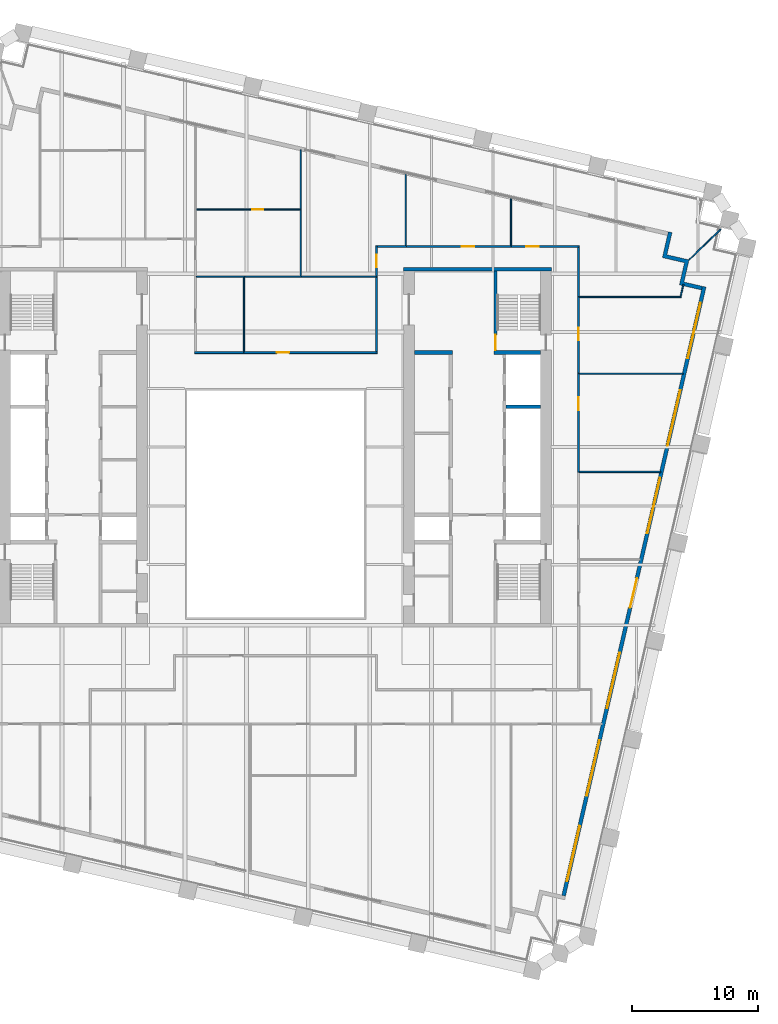
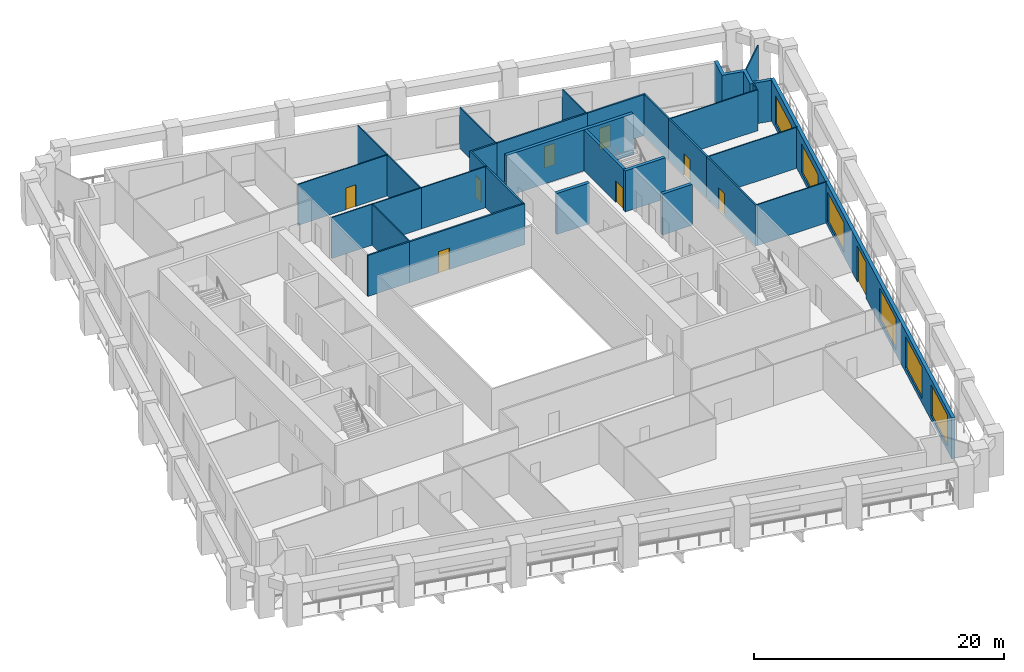
# One storey, part 7 of 10: 31 walls, 9 doors, 6 windows, 15 openings.
"""IFC4 building model written with IfcOpenShell, lengths in metres."""

from ifc_helpers import new_model, si_unit, direction, frame, frame_2d, origin, place, context, subcontext, project, spatial, polyline, rectangle, outline, extrude, material, layer, layer_set, type_object, element, fill, save


model = new_model("IFC4")

# Units and contexts
model_context = context("Model", 3, precision=1e-05, world=origin(), true_north=direction((0.0, 1.0)))
body_context = subcontext(model_context, "Body", "Model", "MODEL_VIEW")
ifc_project = project(units=[si_unit("LENGTHUNIT", "METRE"), si_unit("AREAUNIT", "SQUARE_METRE"), si_unit("VOLUMEUNIT", "CUBIC_METRE"), si_unit("PLANEANGLEUNIT", "RADIAN"), si_unit("MASSUNIT", "GRAM", prefix="KILO")], contexts=[model_context])

# Site, building, storey
site_placement = place(None, origin())
site = spatial("IfcSite", under=ifc_project, at=site_placement, CompositionType="ELEMENT")
building_placement = place(site_placement, origin())
building = spatial("IfcBuilding", under=site, at=building_placement, Name="Ogive Exchange Tower", CompositionType="ELEMENT")
storey_placement = place(building_placement, frame((0.0, 0.0, 114.0)))
storey = spatial("IfcBuildingStorey", under=building, at=storey_placement, Name="L24", CompositionType="ELEMENT", Elevation=114.0)

# Walls
ifc_material_1 = material(Name="Gypsum board partition")
ifc_layer_1 = layer(ifc_material_1, 0.300048828125)
ifc_layer_set_1 = layer_set([ifc_layer_1], Name="Core room partition 300 gypsum")
wall_type_1 = type_object("IfcWallType", Name="Core room partition 300 gypsum", PredefinedType="PARTITIONING", material=ifc_layer_set_1)
wall_1_placement = place(storey_placement, frame((11.0, 19.0, 0.0), z_axis=(0.0, 0.0, 1.0), x_axis=(1.0, 0.0, 0.0)))
element("IfcWall", 1, at=wall_1_placement, inside=storey, type_object=wall_type_1, Name="E row B room end wall 7", PredefinedType="PARTITIONING", context=body_context, shape_type="SweptSolid", body=[
    extrude(rectangle(XDim=3.0, YDim=0.300048828125, at=frame_2d((1.5, 0.0))), origin(), (0.0, 0.0, 1.0), 4.0),
])
ifc_material_2 = material(Name="Fire partition EI 60 150")
ifc_layer_2 = layer(ifc_material_2, 0.14990234375)
ifc_layer_set_2 = layer_set([ifc_layer_2], Name="Fire partition EI 60 150")
wall_type_2 = type_object("IfcWallType", Name="Fire partition EI 60 150", PredefinedType="PARTITIONING", material=ifc_layer_set_2)
wall_2_placement = place(storey_placement, frame((-6.4150390625, 19.0, 0.0), z_axis=(0.0, 0.0, 1.0), x_axis=(1.0, 0.0, 0.0)))
element("IfcWall", 2, at=wall_2_placement, inside=storey, type_object=wall_type_2, Name="L24-PWL-032", PredefinedType="PARTITIONING", context=body_context, shape_type="SweptSolid", body=[
    extrude(rectangle(XDim=3.864990234375, YDim=0.14990234375, at=frame_2d((1.9326171875, 0.0))), origin(), (0.0, 0.0, 1.0), 4.0),
])

# Wall, opening, door
wall_3_placement = place(storey_placement, frame((-2.550048828125, 19.0, 0.0), z_axis=(0.0, 0.0, 1.0), x_axis=(1.0, 0.0, 0.0)))
wall_3 = element("IfcWall", 3, at=wall_3_placement, inside=storey, type_object=wall_type_2, Name="L24-PWL-039", PredefinedType="PARTITIONING", context=body_context, shape_type="SweptSolid", body=[
    extrude(rectangle(XDim=10.625, YDim=0.14990234375, at=frame_2d((5.3125, 0.0))), origin(), (0.0, 0.0, 1.0), 4.0),
])
opening_1_placement = place(wall_3_placement, frame((2.64990234375, 0.0, 0.0)))
opening_1 = element("IfcOpeningElement", 4, at=opening_1_placement, cuts=wall_3, Name="Opening L24-I06", PredefinedType="OPENING", context=body_context, shape_type="SweptSolid", body=[
    extrude(rectangle(XDim=1.0, YDim=2.10009765625, at=frame_2d((0.5, 1.050048828125))), frame((0.0, 0.0849609375, 0.0), z_axis=(0.0, -1.0, 0.0), x_axis=(1.0, 0.0, 0.0)), (0.0, 0.0, 1.0), 0.169921875),
])
ifc_material_3 = material(Name="Fire door FD 30S 1000 x 2100")
door_type_1 = type_object("IfcDoorType", Name="Fire door FD 30S 1000 x 2100", OperationType="NOTDEFINED", PredefinedType="DOOR", material=ifc_material_3)
door_1_placement = place(opening_1_placement, origin())
door_1 = element("IfcDoor", 5, at=door_1_placement, inside=storey, type_object=door_type_1, Name="L24-IDR-006", ObjectType="DT3", OperationType="SINGLE_SWING_RIGHT", OverallHeight=2.10009765625, OverallWidth=1.0, PredefinedType="DOOR", context=body_context, shape_type="SweptSolid", body=[
    extrude(rectangle(XDim=1.0, YDim=2.10009765625, at=frame_2d((0.5, 1.050048828125))), frame((0.0, 0.02490234375, 0.0), z_axis=(0.0, -1.0, 0.0), x_axis=(1.0, 0.0, 0.0)), (0.0, 0.0, 1.0), 0.050048828125),
])
fill(opening_1, door_1)

# Wall
wall_4_placement = place(storey_placement, frame((8.0, 19.074951171875, 0.0), z_axis=(0.0, 0.0, 1.0), x_axis=(0.0, 1.0, 0.0)))
element("IfcWall", 6, at=wall_4_placement, inside=storey, type_object=wall_type_2, Name="L24-PWL-053", PredefinedType="PARTITIONING", context=body_context, shape_type="SweptSolid", body=[
    extrude(rectangle(XDim=5.875, YDim=0.14990234375, at=frame_2d((2.9375, 0.0))), origin(), (0.0, 0.0, 1.0), 4.0),
])

# Wall, opening, door
wall_5_placement = place(storey_placement, frame((8.0, 25.050048828125, 0.0), z_axis=(0.0, 0.0, 1.0), x_axis=(0.0, 1.0, 0.0)))
wall_5 = element("IfcWall", 7, at=wall_5_placement, inside=storey, type_object=wall_type_2, Name="L24-PWL-054", PredefinedType="PARTITIONING", context=body_context, shape_type="SweptSolid", body=[
    extrude(rectangle(XDim=2.425048828125, YDim=0.14990234375, at=frame_2d((1.21240234375, 0.0))), origin(), (0.0, 0.0, 1.0), 4.0),
])
opening_2_placement = place(wall_5_placement, frame((0.699951171875, 0.0, 0.0)))
opening_2 = element("IfcOpeningElement", 8, at=opening_2_placement, cuts=wall_5, Name="Opening L24-I07", PredefinedType="OPENING", context=body_context, shape_type="SweptSolid", body=[
    extrude(rectangle(XDim=1.0, YDim=2.10009765625, at=frame_2d((0.5, 1.050048828125))), frame((0.0, 0.0849609375, 0.0), z_axis=(0.0, -1.0, 0.0), x_axis=(1.0, 0.0, 0.0)), (0.0, 0.0, 1.0), 0.169921875),
])
door_2_placement = place(opening_2_placement, origin())
door_2 = element("IfcDoor", 9, at=door_2_placement, inside=storey, type_object=door_type_1, Name="L24-IDR-007", ObjectType="DT3", OperationType="SINGLE_SWING_RIGHT", OverallHeight=2.10009765625, OverallWidth=1.0, PredefinedType="DOOR", context=body_context, shape_type="SweptSolid", body=[
    extrude(rectangle(XDim=1.0, YDim=2.10009765625, at=frame_2d((0.5, 1.050048828125))), frame((0.0, 0.02490234375, 0.0), z_axis=(0.0, -1.0, 0.0), x_axis=(1.0, 0.0, 0.0)), (0.0, 0.0, 1.0), 0.050048828125),
])
fill(opening_2, door_2)

# Wall
wall_6_placement = place(storey_placement, frame((8.074951171875, 27.39990234375, 0.0), z_axis=(0.0, 0.0, 1.0), x_axis=(1.0, 0.0, 0.0)))
element("IfcWall", 10, at=wall_6_placement, inside=storey, type_object=wall_type_2, Name="L24-PWL-055", PredefinedType="PARTITIONING", context=body_context, shape_type="SweptSolid", body=[
    extrude(rectangle(XDim=2.295166015625, YDim=0.14990234375, at=frame_2d((1.1474609375, 0.0))), origin(), (0.0, 0.0, 1.0), 4.0),
])

# Wall, opening, door
wall_7_placement = place(storey_placement, frame((10.320068359375, 27.39990234375, 0.0), z_axis=(0.0, 0.0, 1.0), x_axis=(1.0, 0.0, 0.0)))
wall_7 = element("IfcWall", 11, at=wall_7_placement, inside=storey, type_object=wall_type_2, Name="L24-PWL-057", PredefinedType="PARTITIONING", context=body_context, shape_type="SweptSolid", body=[
    extrude(rectangle(XDim=8.3798828125, YDim=0.14990234375, at=frame_2d((4.18994140625, 0.0))), origin(), (0.0, 0.0, 1.0), 4.0),
])
opening_3_placement = place(wall_7_placement, frame((4.429931640625, 0.0, 0.0)))
opening_3 = element("IfcOpeningElement", 12, at=opening_3_placement, cuts=wall_7, Name="Opening L24-I04", PredefinedType="OPENING", context=body_context, shape_type="SweptSolid", body=[
    extrude(rectangle(XDim=1.0, YDim=2.10009765625, at=frame_2d((0.5, 1.050048828125))), frame((0.0, 0.0849609375, 0.0), z_axis=(0.0, -1.0, 0.0), x_axis=(1.0, 0.0, 0.0)), (0.0, 0.0, 1.0), 0.169921875),
])
door_3_placement = place(opening_3_placement, origin())
door_3 = element("IfcDoor", 13, at=door_3_placement, inside=storey, type_object=door_type_1, Name="L24-IDR-004", ObjectType="DT3", OperationType="SINGLE_SWING_LEFT", OverallHeight=2.10009765625, OverallWidth=1.0, PredefinedType="DOOR", context=body_context, shape_type="SweptSolid", body=[
    extrude(rectangle(XDim=1.0, YDim=2.10009765625, at=frame_2d((0.5, 1.050048828125))), frame((0.0, 0.02490234375, 0.0), z_axis=(0.0, -1.0, 0.0), x_axis=(1.0, 0.0, 0.0)), (0.0, 0.0, 1.0), 0.050048828125),
])
fill(opening_3, door_3)

wall_8_placement = place(storey_placement, frame((18.699951171875, 27.39990234375, 0.0), z_axis=(0.0, 0.0, 1.0), x_axis=(1.0, 0.0, 0.0)))
wall_8 = element("IfcWall", 14, at=wall_8_placement, inside=storey, type_object=wall_type_2, Name="L24-PWL-064", PredefinedType="PARTITIONING", context=body_context, shape_type="SweptSolid", body=[
    extrude(rectangle(XDim=5.375, YDim=0.14990234375, at=frame_2d((2.6875, 0.0))), origin(), (0.0, 0.0, 1.0), 4.0),
])
opening_4_placement = place(wall_8_placement, frame((1.14990234375, 0.0, 0.0)))
opening_4 = element("IfcOpeningElement", 15, at=opening_4_placement, cuts=wall_8, Name="Opening L24-I03", PredefinedType="OPENING", context=body_context, shape_type="SweptSolid", body=[
    extrude(rectangle(XDim=1.0, YDim=2.10009765625, at=frame_2d((0.5, 1.050048828125))), frame((0.0, 0.0849609375, 0.0), z_axis=(0.0, -1.0, 0.0), x_axis=(1.0, 0.0, 0.0)), (0.0, 0.0, 1.0), 0.169921875),
])
door_4_placement = place(opening_4_placement, origin())
door_4 = element("IfcDoor", 16, at=door_4_placement, inside=storey, type_object=door_type_1, Name="L24-IDR-003", ObjectType="DT3", OperationType="SINGLE_SWING_RIGHT", OverallHeight=2.10009765625, OverallWidth=1.0, PredefinedType="DOOR", context=body_context, shape_type="SweptSolid", body=[
    extrude(rectangle(XDim=1.0, YDim=2.10009765625, at=frame_2d((0.5, 1.050048828125))), frame((0.0, 0.02490234375, 0.0), z_axis=(0.0, -1.0, 0.0), x_axis=(1.0, 0.0, 0.0)), (0.0, 0.0, 1.0), 0.050048828125),
])
fill(opening_4, door_4)

wall_9_placement = place(storey_placement, frame((24.0, 17.3701171875, 0.0), z_axis=(0.0, 0.0, 1.0), x_axis=(0.0, -1.0, 0.0)))
wall_9 = element("IfcWall", 17, at=wall_9_placement, inside=storey, type_object=wall_type_2, Name="L24-PWL-067", PredefinedType="PARTITIONING", context=body_context, shape_type="SweptSolid", body=[
    extrude(rectangle(XDim=7.8701171875, YDim=0.14990234375, at=frame_2d((3.93505859375, 0.0))), origin(), (0.0, 0.0, 1.0), 4.0),
])
opening_5_placement = place(wall_9_placement, frame((1.919921875, 0.0, 0.0)))
opening_5 = element("IfcOpeningElement", 18, at=opening_5_placement, cuts=wall_9, Name="Opening L24-I01", PredefinedType="OPENING", context=body_context, shape_type="SweptSolid", body=[
    extrude(rectangle(XDim=1.0, YDim=2.10009765625, at=frame_2d((0.5, 1.050048828125))), frame((0.0, 0.0849609375, 0.0), z_axis=(0.0, -1.0, 0.0), x_axis=(1.0, 0.0, 0.0)), (0.0, 0.0, 1.0), 0.169921875),
])
door_5_placement = place(opening_5_placement, origin())
door_5 = element("IfcDoor", 19, at=door_5_placement, inside=storey, type_object=door_type_1, Name="L24-IDR-001", ObjectType="DT3", OperationType="SINGLE_SWING_RIGHT", OverallHeight=2.10009765625, OverallWidth=1.0, PredefinedType="DOOR", context=body_context, shape_type="SweptSolid", body=[
    extrude(rectangle(XDim=1.0, YDim=2.10009765625, at=frame_2d((0.5, 1.050048828125))), frame((0.0, 0.02490234375, 0.0), z_axis=(0.0, -1.0, 0.0), x_axis=(1.0, 0.0, 0.0)), (0.0, 0.0, 1.0), 0.050048828125),
])
fill(opening_5, door_5)

wall_10_placement = place(storey_placement, frame((24.0, 23.4599609375, 0.0), z_axis=(0.0, 0.0, 1.0), x_axis=(0.0, -1.0, 0.0)))
wall_10 = element("IfcWall", 20, at=wall_10_placement, inside=storey, type_object=wall_type_2, Name="L24-PWL-069", PredefinedType="PARTITIONING", context=body_context, shape_type="SweptSolid", body=[
    extrude(rectangle(XDim=6.08984375, YDim=0.14990234375, at=frame_2d((3.044921875, 0.0))), origin(), (0.0, 0.0, 1.0), 4.0),
])
opening_6_placement = place(wall_10_placement, frame((2.489990234375, 0.0, 0.0)))
opening_6 = element("IfcOpeningElement", 21, at=opening_6_placement, cuts=wall_10, Name="Opening L24-I02", PredefinedType="OPENING", context=body_context, shape_type="SweptSolid", body=[
    extrude(rectangle(XDim=1.0, YDim=2.10009765625, at=frame_2d((0.5, 1.050048828125))), frame((0.0, 0.0849609375, 0.0), z_axis=(0.0, -1.0, 0.0), x_axis=(1.0, 0.0, 0.0)), (0.0, 0.0, 1.0), 0.169921875),
])
door_6_placement = place(opening_6_placement, origin())
door_6 = element("IfcDoor", 22, at=door_6_placement, inside=storey, type_object=door_type_1, Name="L24-IDR-002", ObjectType="DT3", OperationType="SINGLE_SWING_RIGHT", OverallHeight=2.10009765625, OverallWidth=1.0, PredefinedType="DOOR", context=body_context, shape_type="SweptSolid", body=[
    extrude(rectangle(XDim=1.0, YDim=2.10009765625, at=frame_2d((0.5, 1.050048828125))), frame((0.0, 0.02490234375, 0.0), z_axis=(0.0, -1.0, 0.0), x_axis=(1.0, 0.0, 0.0)), (0.0, 0.0, 1.0), 0.050048828125),
])
fill(opening_6, door_6)

# Wall
wall_11_placement = place(storey_placement, frame((24.0, 27.324951171875, 0.0), z_axis=(0.0, 0.0, 1.0), x_axis=(0.0, -1.0, 0.0)))
element("IfcWall", 23, at=wall_11_placement, inside=storey, type_object=wall_type_2, Name="L24-PWL-071", PredefinedType="PARTITIONING", context=body_context, shape_type="SweptSolid", body=[
    extrude(rectangle(XDim=3.864990234375, YDim=0.14990234375, at=frame_2d((1.9326171875, 0.0))), origin(), (0.0, 0.0, 1.0), 4.0),
])

# Wall, openings, door, windows
ifc_material_4 = material(Name="Precast concrete C40/50", Category="concrete")
ifc_layer_3 = layer(ifc_material_4, 0.300048828125)
ifc_layer_set_3 = layer_set([ifc_layer_3], Name="Limestone-faced wall 300")
wall_type_3 = type_object("IfcWallType", Name="Limestone-faced wall 300", PredefinedType="STANDARD", material=ifc_layer_set_3)
wall_12_placement = place(storey_placement, frame((22.8203125, -24.015625, 0.0), z_axis=(0.0, 0.0, 1.0), x_axis=(0.224953880882, 0.974369412223, 0.0)))
wall_12 = element("IfcWall", 24, at=wall_12_placement, inside=storey, type_object=wall_type_3, Name="External wall E2", PredefinedType="STANDARD", context=body_context, shape_type="SweptSolid", body=[
    extrude(rectangle(XDim=49.500244140625, YDim=0.300048828125, at=frame_2d((24.75, 0.0))), origin(), (0.0, 0.0, 1.0), 4.0),
])
opening_7_placement = place(wall_12_placement, frame((1.156982421875, 0.0, 0.449951171875)))
opening_7 = element("IfcOpeningElement", 25, at=opening_7_placement, cuts=wall_12, Name="Opening W1", PredefinedType="OPENING", context=body_context, shape_type="SweptSolid", body=[
    extrude(rectangle(XDim=4.5, YDim=3.050048828125, at=frame_2d((2.25, 1.52490234375))), frame((0.0, 0.159912109375, 0.0), z_axis=(0.0, -1.0, 0.0), x_axis=(1.0, 0.0, 0.0)), (0.0, 0.0, 1.0), 0.320068359375),
])
opening_8_placement = place(wall_12_placement, frame((8.121337890625, 0.0, 0.449951171875)))
opening_8 = element("IfcOpeningElement", 26, at=opening_8_placement, cuts=wall_12, Name="Opening W1", PredefinedType="OPENING", context=body_context, shape_type="SweptSolid", body=[
    extrude(rectangle(XDim=4.5, YDim=3.050048828125, at=frame_2d((2.25, 1.52490234375))), frame((0.0, 0.159912109375, 0.0), z_axis=(0.0, -1.0, 0.0), x_axis=(1.0, 0.0, 0.0)), (0.0, 0.0, 1.0), 0.320068359375),
])
opening_9_placement = place(wall_12_placement, frame((15.235595703125, 0.0, 0.449951171875)))
opening_9 = element("IfcOpeningElement", 27, at=opening_9_placement, cuts=wall_12, Name="Opening W1", PredefinedType="OPENING", context=body_context, shape_type="SweptSolid", body=[
    extrude(rectangle(XDim=4.5, YDim=3.050048828125, at=frame_2d((2.25, 1.52490234375))), frame((0.0, 0.159912109375, 0.0), z_axis=(0.0, -1.0, 0.0), x_axis=(1.0, 0.0, 0.0)), (0.0, 0.0, 1.0), 0.320068359375),
])
opening_10_placement = place(wall_12_placement, frame((23.39990234375, 0.0, 0.0)))
opening_10 = element("IfcOpeningElement", 28, at=opening_10_placement, cuts=wall_12, Name="Opening D1", PredefinedType="OPENING", context=body_context, shape_type="SweptSolid", body=[
    extrude(rectangle(XDim=2.39990234375, YDim=3.5, at=frame_2d((1.199951171875, 1.75))), frame((0.0, 0.159912109375, 0.0), z_axis=(0.0, -1.0, 0.0), x_axis=(1.0, 0.0, 0.0)), (0.0, 0.0, 1.0), 0.320068359375),
])
opening_11_placement = place(wall_12_placement, frame((29.464111328125, 0.0, 0.449951171875)))
opening_11 = element("IfcOpeningElement", 29, at=opening_11_placement, cuts=wall_12, Name="Opening W1D", PredefinedType="OPENING", context=body_context, shape_type="SweptSolid", body=[
    extrude(rectangle(XDim=4.5, YDim=2.875, at=frame_2d((2.25, 1.4375))), frame((0.0, 0.159912109375, 0.0), z_axis=(0.0, -1.0, 0.0), x_axis=(1.0, 0.0, 0.0)), (0.0, 0.0, 1.0), 0.320068359375),
])
opening_12_placement = place(wall_12_placement, frame((36.57861328125, 0.0, 0.449951171875)))
opening_12 = element("IfcOpeningElement", 30, at=opening_12_placement, cuts=wall_12, Name="Opening W1E", PredefinedType="OPENING", context=body_context, shape_type="SweptSolid", body=[
    extrude(rectangle(XDim=4.5, YDim=2.824951171875, at=frame_2d((2.25, 1.41259765625))), frame((0.0, 0.159912109375, 0.0), z_axis=(0.0, -1.0, 0.0), x_axis=(1.0, 0.0, 0.0)), (0.0, 0.0, 1.0), 0.320068359375),
])
opening_13_placement = place(wall_12_placement, frame((43.69287109375, 0.0, 0.449951171875)))
opening_13 = element("IfcOpeningElement", 31, at=opening_13_placement, cuts=wall_12, Name="Opening W1H", PredefinedType="OPENING", context=body_context, shape_type="SweptSolid", body=[
    extrude(rectangle(XDim=4.5, YDim=2.75, at=frame_2d((2.25, 1.375))), frame((0.0, 0.159912109375, 0.0), z_axis=(0.0, -1.0, 0.0), x_axis=(1.0, 0.0, 0.0)), (0.0, 0.0, 1.0), 0.320068359375),
])
ifc_material_5 = material(Name="Clear glass in bronze frame", Category="glass")
door_type_2 = type_object("IfcDoorType", Name="Sliding loggia door 2400 x 3500", OperationType="DOUBLE_DOOR_SLIDING", PredefinedType="DOOR", material=ifc_material_5)
door_7_placement = place(opening_10_placement, origin())
door_7 = element("IfcDoor", 32, at=door_7_placement, inside=storey, type_object=door_type_2, Name="Loggia door E03", OperationType="DOUBLE_DOOR_SLIDING", OverallHeight=3.5, OverallWidth=2.39990234375, PredefinedType="DOOR", context=body_context, shape_type="SweptSolid", body=[
    extrude(rectangle(XDim=2.39990234375, YDim=3.5, at=frame_2d((1.199951171875, 1.75))), frame((0.0, 0.02490234375, 0.0), z_axis=(0.0, -1.0, 0.0), x_axis=(1.0, 0.0, 0.0)), (0.0, 0.0, 1.0), 0.050048828125),
])
fill(opening_10, door_7)
window_type_1 = type_object("IfcWindowType", Name="Twin lancet window 4500 x 2750", PartitioningType="DOUBLE_PANEL_VERTICAL", PredefinedType="WINDOW", material=ifc_material_5)
window_1_placement = place(opening_13_placement, origin())
window_1 = element("IfcWindow", 33, at=window_1_placement, inside=storey, type_object=window_type_1, Name="Window E06", OverallHeight=2.75, OverallWidth=4.5, PartitioningType="DOUBLE_PANEL_VERTICAL", PredefinedType="WINDOW", context=body_context, shape_type="SweptSolid", body=[
    extrude(rectangle(XDim=4.5, YDim=2.75, at=frame_2d((2.25, 1.375))), frame((0.0, 0.030029296875, 0.0), z_axis=(0.0, -1.0, 0.0), x_axis=(1.0, 0.0, 0.0)), (0.0, 0.0, 1.0), 0.06005859375),
])
fill(opening_13, window_1)
window_type_2 = type_object("IfcWindowType", Name="Twin lancet window 4500 x 2825", PartitioningType="DOUBLE_PANEL_VERTICAL", PredefinedType="WINDOW", material=ifc_material_5)
window_2_placement = place(opening_12_placement, origin())
window_2 = element("IfcWindow", 34, at=window_2_placement, inside=storey, type_object=window_type_2, Name="Window E05", OverallHeight=2.824951171875, OverallWidth=4.5, PartitioningType="DOUBLE_PANEL_VERTICAL", PredefinedType="WINDOW", context=body_context, shape_type="SweptSolid", body=[
    extrude(rectangle(XDim=4.5, YDim=2.824951171875, at=frame_2d((2.25, 1.41259765625))), frame((0.0, 0.030029296875, 0.0), z_axis=(0.0, -1.0, 0.0), x_axis=(1.0, 0.0, 0.0)), (0.0, 0.0, 1.0), 0.06005859375),
])
fill(opening_12, window_2)
window_type_3 = type_object("IfcWindowType", Name="Twin lancet window 4500 x 2875", PartitioningType="DOUBLE_PANEL_VERTICAL", PredefinedType="WINDOW", material=ifc_material_5)
window_3_placement = place(opening_11_placement, origin())
window_3 = element("IfcWindow", 35, at=window_3_placement, inside=storey, type_object=window_type_3, Name="Window E04", OverallHeight=2.875, OverallWidth=4.5, PartitioningType="DOUBLE_PANEL_VERTICAL", PredefinedType="WINDOW", context=body_context, shape_type="SweptSolid", body=[
    extrude(rectangle(XDim=4.5, YDim=2.875, at=frame_2d((2.25, 1.4375))), frame((0.0, 0.030029296875, 0.0), z_axis=(0.0, -1.0, 0.0), x_axis=(1.0, 0.0, 0.0)), (0.0, 0.0, 1.0), 0.06005859375),
])
fill(opening_11, window_3)
window_type_4 = type_object("IfcWindowType", Name="Twin lancet window 4500 x 3050", PartitioningType="DOUBLE_PANEL_VERTICAL", PredefinedType="WINDOW", material=ifc_material_5)
window_4_placement = place(opening_7_placement, origin())
window_4 = element("IfcWindow", 36, at=window_4_placement, inside=storey, type_object=window_type_4, Name="Window E00", OverallHeight=3.050048828125, OverallWidth=4.5, PartitioningType="DOUBLE_PANEL_VERTICAL", PredefinedType="WINDOW", context=body_context, shape_type="SweptSolid", body=[
    extrude(rectangle(XDim=4.5, YDim=3.050048828125, at=frame_2d((2.25, 1.52490234375))), frame((0.0, 0.030029296875, 0.0), z_axis=(0.0, -1.0, 0.0), x_axis=(1.0, 0.0, 0.0)), (0.0, 0.0, 1.0), 0.06005859375),
])
fill(opening_7, window_4)
window_5_placement = place(opening_8_placement, origin())
window_5 = element("IfcWindow", 37, at=window_5_placement, inside=storey, type_object=window_type_4, Name="Window E01", OverallHeight=3.050048828125, OverallWidth=4.5, PartitioningType="DOUBLE_PANEL_VERTICAL", PredefinedType="WINDOW", context=body_context, shape_type="SweptSolid", body=[
    extrude(rectangle(XDim=4.5, YDim=3.050048828125, at=frame_2d((2.25, 1.52490234375))), frame((0.0, 0.030029296875, 0.0), z_axis=(0.0, -1.0, 0.0), x_axis=(1.0, 0.0, 0.0)), (0.0, 0.0, 1.0), 0.06005859375),
])
fill(opening_8, window_5)
window_6_placement = place(opening_9_placement, origin())
window_6 = element("IfcWindow", 38, at=window_6_placement, inside=storey, type_object=window_type_4, Name="Window E02", OverallHeight=3.050048828125, OverallWidth=4.5, PartitioningType="DOUBLE_PANEL_VERTICAL", PredefinedType="WINDOW", context=body_context, shape_type="SweptSolid", body=[
    extrude(rectangle(XDim=4.5, YDim=3.050048828125, at=frame_2d((2.25, 1.52490234375))), frame((0.0, 0.030029296875, 0.0), z_axis=(0.0, -1.0, 0.0), x_axis=(1.0, 0.0, 0.0)), (0.0, 0.0, 1.0), 0.06005859375),
])
fill(opening_9, window_6)

# Walls
wall_13_placement = place(storey_placement, origin())
element("IfcWall", 39, at=wall_13_placement, inside=storey, type_object=wall_type_3, Name="External corner wall C2", PredefinedType="STANDARD", context=body_context, shape_type="SweptSolid", body=[
    extrude(outline(polyline([(32.392822265625, 26.115966796875), (30.638916015625, 26.52099609375), (31.111328125, 28.56689453125), (31.40380859375, 28.49951171875), (30.998779296875, 26.74560546875), (32.752685546875, 26.3408203125), (32.34765625, 24.5869140625), (33.809326171875, 24.24951171875), (33.74169921875, 23.957275390625), (31.98779296875, 24.362060546875), (32.392822265625, 26.115966796875)])), origin(), (0.0, 0.0, 1.0), 4.0),
])
ifc_material_6 = material(Name="Laminated safety glass in steel frame", Category="steel")
ifc_layer_4 = layer(ifc_material_6, 0.10009765625)
ifc_layer_set_4 = layer_set([ifc_layer_4], Name="Loggia end screen 100")
wall_type_4 = type_object("IfcWallType", Name="Loggia end screen 100", PredefinedType="STANDARD", material=ifc_layer_set_4)
wall_14_placement = place(storey_placement, frame((32.752685546875, 26.3408203125, -0.050048828125), z_axis=(0.0, 0.0, 1.0), x_axis=(0.718177745075, 0.695859703158, 0.0)))
element("IfcWall", 40, at=wall_14_placement, inside=storey, type_object=wall_type_4, Name="Loggia end screen C2", PredefinedType="STANDARD", context=body_context, shape_type="SweptSolid", body=[
    extrude(rectangle(XDim=3.478759765625, YDim=0.10009765625, at=frame_2d((1.7392578125, 0.0))), origin(), (0.0, 0.0, 1.0), 4.050048828125),
])
ifc_material_7 = material(Name="Partition 100 gypsum")
ifc_layer_5 = layer(ifc_material_7, 0.10009765625)
ifc_layer_set_5 = layer_set([ifc_layer_5], Name="Partition 100 gypsum")
wall_type_5 = type_object("IfcWallType", Name="Partition 100 gypsum", PredefinedType="PARTITIONING", material=ifc_layer_set_5)
wall_15_placement = place(storey_placement, frame((-6.264892578125, 25.0, 0.0), z_axis=(0.0, 0.0, 1.0), x_axis=(1.0, 0.0, 0.0)))
element("IfcWall", 41, at=wall_15_placement, inside=storey, type_object=wall_type_5, Name="L24-PWL-034", PredefinedType="PARTITIONING", context=body_context, shape_type="SweptSolid", body=[
    extrude(rectangle(XDim=3.81494140625, YDim=0.10009765625, at=frame_2d((1.907470703125, 0.0))), origin(), (0.0, 0.0, 1.0), 4.0),
])

# Wall, opening, door
wall_16_placement = place(storey_placement, frame((-6.2900390625, 30.340087890625, 0.0), z_axis=(0.0, 0.0, 1.0), x_axis=(1.0, 0.0, 0.0)))
wall_16 = element("IfcWall", 42, at=wall_16_placement, inside=storey, type_object=wall_type_5, Name="L24-PWL-038", PredefinedType="PARTITIONING", context=body_context, shape_type="SweptSolid", body=[
    extrude(rectangle(XDim=8.330078125, YDim=0.10009765625, at=frame_2d((4.1650390625, 0.0))), origin(), (0.0, 0.0, 1.0), 4.0),
])
opening_14_placement = place(wall_16_placement, frame((4.429931640625, 0.0, 0.0)))
opening_14 = element("IfcOpeningElement", 43, at=opening_14_placement, cuts=wall_16, Name="Opening L24-I09", PredefinedType="OPENING", context=body_context, shape_type="SweptSolid", body=[
    extrude(rectangle(XDim=0.89990234375, YDim=2.10009765625, at=frame_2d((0.449951171875, 1.050048828125))), frame((0.0, 0.06005859375, 0.0), z_axis=(0.0, -1.0, 0.0), x_axis=(1.0, 0.0, 0.0)), (0.0, 0.0, 1.0), 0.1201171875),
])
ifc_material_8 = material(Name="Door 900 x 2100")
door_type_3 = type_object("IfcDoorType", Name="Door 900 x 2100", OperationType="NOTDEFINED", PredefinedType="DOOR", material=ifc_material_8)
door_8_placement = place(opening_14_placement, frame((0.89990234375, 0.0, 0.0), z_axis=(0.0, 0.0, 1.0), x_axis=(-1.0, 0.0, 0.0)))
door_8 = element("IfcDoor", 44, at=door_8_placement, inside=storey, type_object=door_type_3, Name="L24-IDR-009", ObjectType="DT1", OperationType="SINGLE_SWING_RIGHT", OverallHeight=2.10009765625, OverallWidth=0.89990234375, PredefinedType="DOOR", context=body_context, shape_type="SweptSolid", body=[
    extrude(rectangle(XDim=0.89990234375, YDim=2.10009765625, at=frame_2d((0.449951171875, 1.050048828125))), frame((0.0, 0.02490234375, 0.0), z_axis=(0.0, -1.0, 0.0), x_axis=(1.0, 0.0, 0.0)), (0.0, 0.0, 1.0), 0.050048828125),
])
fill(opening_14, door_8)

# Walls
wall_17_placement = place(storey_placement, frame((-2.5, 24.949951171875, 0.0), z_axis=(0.0, 0.0, 1.0), x_axis=(0.0, -1.0, 0.0)))
element("IfcWall", 45, at=wall_17_placement, inside=storey, type_object=wall_type_5, Name="L24-PWL-040", PredefinedType="PARTITIONING", context=body_context, shape_type="SweptSolid", body=[
    extrude(rectangle(XDim=5.875, YDim=0.10009765625, at=frame_2d((2.9375, 0.0))), origin(), (0.0, 0.0, 1.0), 4.0),
])
wall_18_placement = place(storey_placement, frame((-2.5, 25.0, 0.0), z_axis=(0.0, 0.0, 1.0), x_axis=(1.0, 0.0, 0.0)))
element("IfcWall", 46, at=wall_18_placement, inside=storey, type_object=wall_type_5, Name="L24-PWL-041", PredefinedType="PARTITIONING", context=body_context, shape_type="SweptSolid", body=[
    extrude(rectangle(XDim=4.5400390625, YDim=0.10009765625, at=frame_2d((2.27001953125, 0.0))), origin(), (0.0, 0.0, 1.0), 4.0),
])
wall_19_placement = place(storey_placement, frame((1.989990234375, 25.050048828125, 0.0), z_axis=(0.0, 0.0, 1.0), x_axis=(0.0, 1.0, 0.0)))
element("IfcWall", 47, at=wall_19_placement, inside=storey, type_object=wall_type_5, Name="L24-PWL-046", PredefinedType="PARTITIONING", context=body_context, shape_type="SweptSolid", body=[
    extrude(rectangle(XDim=5.239990234375, YDim=0.10009765625, at=frame_2d((2.6201171875, 0.0))), origin(), (0.0, 0.0, 1.0), 4.0),
])
wall_20_placement = place(storey_placement, frame((1.989990234375, 25.0, 0.0), z_axis=(0.0, 0.0, 1.0), x_axis=(1.0, 0.0, 0.0)))
element("IfcWall", 48, at=wall_20_placement, inside=storey, type_object=wall_type_5, Name="L24-PWL-047", PredefinedType="PARTITIONING", context=body_context, shape_type="SweptSolid", body=[
    extrude(rectangle(XDim=6.0849609375, YDim=0.10009765625, at=frame_2d((3.04248046875, 0.0))), origin(), (0.0, 0.0, 1.0), 4.0),
])
wall_21_placement = place(storey_placement, frame((1.989990234375, 30.389892578125, 0.0), z_axis=(0.0, 0.0, 1.0), x_axis=(0.0, 1.0, 0.0)))
element("IfcWall", 49, at=wall_21_placement, inside=storey, type_object=wall_type_5, Name="L24-PWL-048", PredefinedType="PARTITIONING", context=body_context, shape_type="SweptSolid", body=[
    extrude(rectangle(XDim=4.675048828125, YDim=0.10009765625, at=frame_2d((2.33740234375, 0.0))), origin(), (0.0, 0.0, 1.0), 4.0),
])
wall_22_placement = place(storey_placement, frame((10.320068359375, 27.47509765625, 0.0), z_axis=(0.0, 0.0, 1.0), x_axis=(0.0, 1.0, 0.0)))
element("IfcWall", 50, at=wall_22_placement, inside=storey, type_object=wall_type_5, Name="L24-PWL-056", PredefinedType="PARTITIONING", context=body_context, shape_type="SweptSolid", body=[
    extrude(rectangle(XDim=5.6669921875, YDim=0.10009765625, at=frame_2d((2.83349609375, 0.0))), origin(), (0.0, 0.0, 1.0), 4.0),
])
wall_23_placement = place(storey_placement, frame((18.64990234375, 27.47509765625, 0.0), z_axis=(0.0, 0.0, 1.0), x_axis=(0.0, 1.0, 0.0)))
element("IfcWall", 51, at=wall_23_placement, inside=storey, type_object=wall_type_5, Name="L24-PWL-063", PredefinedType="PARTITIONING", context=body_context, shape_type="SweptSolid", body=[
    extrude(rectangle(XDim=3.743896484375, YDim=0.10009765625, at=frame_2d((1.8720703125, 0.0))), origin(), (0.0, 0.0, 1.0), 4.0),
])
wall_24_placement = place(storey_placement, frame((24.074951171875, 17.320068359375, 0.0), z_axis=(0.0, 0.0, 1.0), x_axis=(1.0, 0.0, 0.0)))
element("IfcWall", 52, at=wall_24_placement, inside=storey, type_object=wall_type_5, Name="L24-PWL-068", PredefinedType="PARTITIONING", context=body_context, shape_type="SweptSolid", body=[
    extrude(rectangle(XDim=8.217041015625, YDim=0.10009765625, at=frame_2d((4.1083984375, 0.0))), origin(), (0.0, 0.0, 1.0), 4.0),
])
wall_25_placement = place(storey_placement, frame((24.074951171875, 23.409912109375, 0.0), z_axis=(0.0, 0.0, 1.0), x_axis=(1.0, 0.0, 0.0)))
element("IfcWall", 53, at=wall_25_placement, inside=storey, type_object=wall_type_5, Name="L24-PWL-070", PredefinedType="PARTITIONING", context=body_context, shape_type="SweptSolid", body=[
    extrude(rectangle(XDim=8.054931640625, YDim=0.10009765625, at=frame_2d((4.02734375, 0.0))), origin(), (0.0, 0.0, 1.0), 4.0),
])
wall_26_placement = place(storey_placement, frame((30.498046875, 9.550048828125, 0.0), z_axis=(0.0, 0.0, 1.0), x_axis=(-1.0, 0.0, 0.0)))
element("IfcWall", 54, at=wall_26_placement, inside=storey, type_object=wall_type_5, Name="L24-PWL-078", PredefinedType="PARTITIONING", context=body_context, shape_type="SweptSolid", body=[
    extrude(rectangle(XDim=6.423095703125, YDim=0.10009765625, at=frame_2d((3.21142578125, 0.0))), origin(), (0.0, 0.0, 1.0), 4.0),
])
wall_27_placement = place(storey_placement, frame((32.091064453125, 23.458984375, 0.0), z_axis=(0.0, 0.0, 1.0), x_axis=(0.223406444343, 0.97472537703, 0.0)))
element("IfcWall", 55, at=wall_27_placement, inside=storey, type_object=wall_type_5, Name="L24-PWL-079", PredefinedType="PARTITIONING", context=body_context, shape_type="SweptSolid", body=[
    extrude(rectangle(XDim=0.957275390625, YDim=0.10009765625, at=frame_2d((0.478515625, 0.0))), origin(), (0.0, 0.0, 1.0), 4.0),
])

# Wall, opening, door
ifc_material_9 = material(Name="Concrete C70/85", Category="concrete")
ifc_layer_6 = layer(ifc_material_9, 0.25)
ifc_layer_set_6 = layer_set([ifc_layer_6], Name="RC core wall 250 C70/85")
wall_type_6 = type_object("IfcWallType", Name="RC core wall 250 C70/85", PredefinedType="SHEAR", material=ifc_layer_set_6)
wall_28_placement = place(storey_placement, frame((17.425048828125, 19.14990234375, 0.0), z_axis=(0.0, 0.0, 1.0), x_axis=(0.0, 1.0, 0.0)))
wall_28 = element("IfcWall", 56, at=wall_28_placement, inside=storey, type_object=wall_type_6, Name="E stair N front wall", PredefinedType="SHEAR", context=body_context, shape_type="SweptSolid", body=[
    extrude(rectangle(XDim=6.300048828125, YDim=0.25, at=frame_2d((3.14990234375, 0.0))), origin(), (0.0, 0.0, 1.0), 4.0),
])
opening_15_placement = place(wall_28_placement, frame((0.050048828125, 0.0, 0.0)))
opening_15 = element("IfcOpeningElement", 57, at=opening_15_placement, cuts=wall_28, Name="Opening L24-C34", PredefinedType="OPENING", context=body_context, shape_type="SweptSolid", body=[
    extrude(rectangle(XDim=1.199951171875, YDim=2.10009765625, at=frame_2d((0.60009765625, 1.050048828125))), frame((0.0, 0.135009765625, 0.0), z_axis=(0.0, -1.0, 0.0), x_axis=(1.0, 0.0, 0.0)), (0.0, 0.0, 1.0), 0.27001953125),
])
ifc_material_10 = material(Name="Steel fire door", Category="steel")
door_type_4 = type_object("IfcDoorType", Name="Stair door FD90 1200 x 2100", OperationType="NOTDEFINED", PredefinedType="DOOR", material=ifc_material_10)
door_9_placement = place(opening_15_placement, frame((1.199951171875, 0.0, 0.0), z_axis=(0.0, 0.0, 1.0), x_axis=(-1.0, 0.0, 0.0)))
door_9 = element("IfcDoor", 58, at=door_9_placement, inside=storey, type_object=door_type_4, Name="Stair door", ObjectType="CD5", OperationType="SINGLE_SWING_LEFT", OverallHeight=2.10009765625, OverallWidth=1.199951171875, PredefinedType="DOOR", context=body_context, shape_type="SweptSolid", body=[
    extrude(rectangle(XDim=1.199951171875, YDim=2.10009765625, at=frame_2d((0.60009765625, 1.050048828125))), frame((0.0, 0.02490234375, 0.0), z_axis=(0.0, -1.0, 0.0), x_axis=(1.0, 0.0, 0.0)), (0.0, 0.0, 1.0), 0.050048828125),
])
fill(opening_15, door_9)

# Walls
ifc_layer_7 = layer(ifc_material_9, 0.300048828125)
ifc_layer_set_7 = layer_set([ifc_layer_7], Name="RC core wall 300 C70/85")
wall_type_7 = type_object("IfcWallType", Name="RC core wall 300 C70/85", PredefinedType="SHEAR", material=ifc_layer_set_7)
wall_29_placement = place(storey_placement, frame((10.14990234375, 25.60009765625, 0.0), z_axis=(0.0, 0.0, 1.0), x_axis=(1.0, 0.0, 0.0)))
element("IfcWall", 59, at=wall_29_placement, inside=storey, type_object=wall_type_7, Name="E north end wall", PredefinedType="SHEAR", context=body_context, shape_type="SweptSolid", body=[
    extrude(rectangle(XDim=11.7001953125, YDim=0.300048828125, at=frame_2d((5.85009765625, 0.0))), origin(), (0.0, 0.0, 1.0), 4.0),
])
wall_30_placement = place(storey_placement, frame((17.300048828125, 19.0, 0.0), z_axis=(0.0, 0.0, 1.0), x_axis=(1.0, 0.0, 0.0)))
element("IfcWall", 60, at=wall_30_placement, inside=storey, type_object=wall_type_7, Name="E stair N south wall", PredefinedType="SHEAR", context=body_context, shape_type="SweptSolid", body=[
    extrude(rectangle(XDim=3.699951171875, YDim=0.300048828125, at=frame_2d((1.85009765625, 0.0))), origin(), (0.0, 0.0, 1.0), 4.0),
])
wall_31_placement = place(storey_placement, frame((18.25, 14.71435546875, 0.0), z_axis=(0.0, 0.0, 1.0), x_axis=(1.0, 0.0, 0.0)))
element("IfcWall", 61, at=wall_31_placement, inside=storey, type_object=wall_type_7, Name="E row A divider 5", PredefinedType="SHEAR", context=body_context, shape_type="SweptSolid", body=[
    extrude(rectangle(XDim=2.75, YDim=0.300048828125, at=frame_2d((1.375, 0.0))), origin(), (0.0, 0.0, 1.0), 4.0),
])

save(model, "model.ifc")
